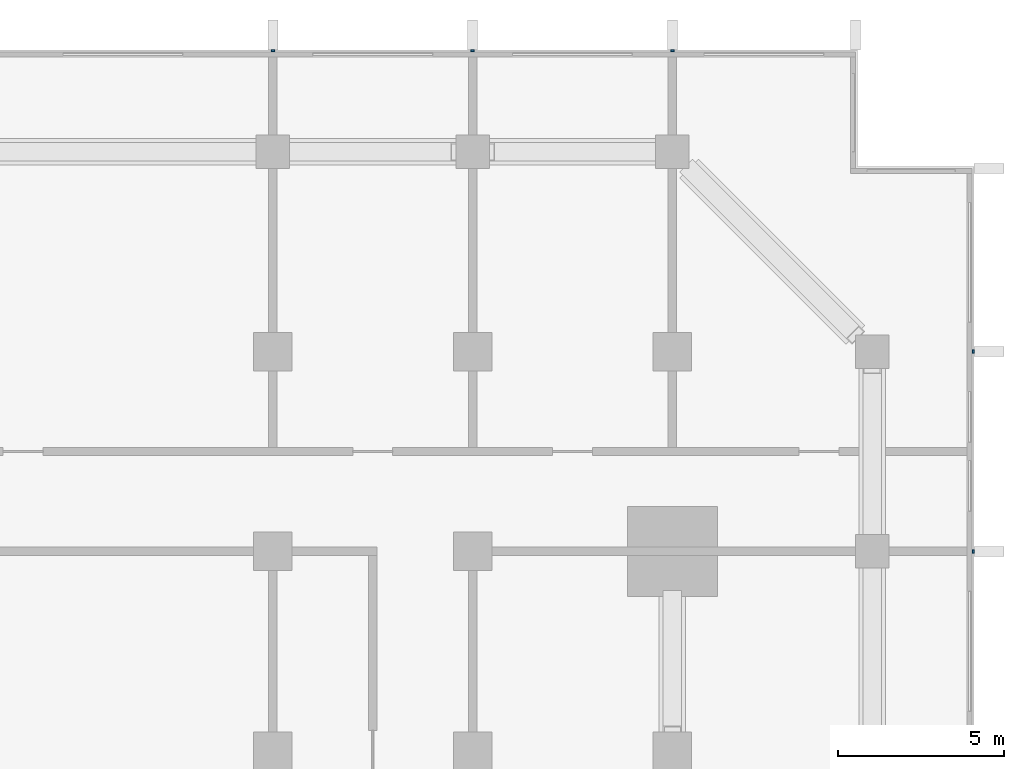
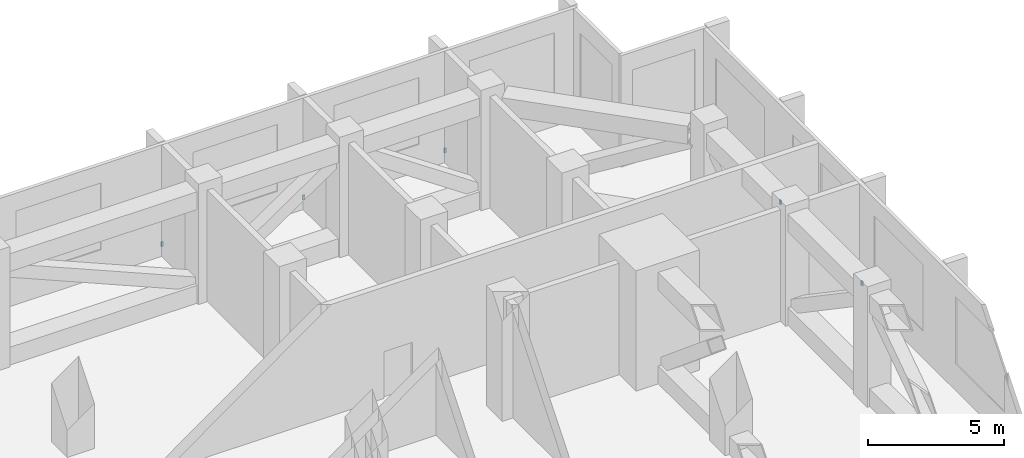
# One storey, part 11 of 12: 5 discrete accessories.
"""IFC4 building model written with IfcOpenShell, lengths in metres."""

from ifc_helpers import new_model, si_unit, direction, frame, origin, origin_2d, place, context, subcontext, project, spatial, rectangle, extrude, material, type_object, element, save


model = new_model("IFC4")

# Units and contexts
model_context = context("Model", 3, precision=1e-05, world=origin(), true_north=direction((0.0, 1.0)))
body_context = subcontext(model_context, "Body", "Model", "MODEL_VIEW")
ifc_project = project(units=[si_unit("LENGTHUNIT", "METRE"), si_unit("AREAUNIT", "SQUARE_METRE"), si_unit("VOLUMEUNIT", "CUBIC_METRE"), si_unit("PLANEANGLEUNIT", "RADIAN"), si_unit("MASSUNIT", "GRAM", prefix="KILO")], contexts=[model_context])

# Site, building, storey
site_placement = place(None, origin())
site = spatial("IfcSite", under=ifc_project, at=site_placement, CompositionType="ELEMENT")
building_placement = place(site_placement, origin())
building = spatial("IfcBuilding", under=site, at=building_placement, Name="Finial Court Residences", CompositionType="ELEMENT")
storey_placement = place(building_placement, frame((0.0, 0.0, 143.89990234375)))
storey = spatial("IfcBuildingStorey", under=building, at=storey_placement, Name="L35", CompositionType="ELEMENT", Elevation=143.89990234375)

# Discrete accessories
ifc_material = material(Name="Stainless steel 316", Category="steel")
discrete_accessory_type = type_object("IfcDiscreteAccessoryType", Name="Fin bracket, stainless steel 100 x 60 x 200", PredefinedType="BRACKET", material=ifc_material)
for number, where, z_axis, x_axis, name in (
    (1, (4.5, 22.530029296875, 0.30029296875), (0.0, 0.0, 1.0), (1.0, 0.0, 0.0), "E-L35-FIN-N5-BRK"),
    (2, (10.5, 22.530029296875, 0.30029296875), (0.0, 0.0, 1.0), (1.0, 0.0, 0.0), "E-L35-FIN-N6-BRK"),
    (3, (16.5, 22.530029296875, 0.30029296875), (0.0, 0.0, 1.0), (1.0, 0.0, 0.0), "E-L35-FIN-N7-BRK"),
):
    element("IfcDiscreteAccessory", number, at=place(storey_placement, frame(where, z_axis=z_axis, x_axis=x_axis)), inside=storey, type_object=discrete_accessory_type, Name=name, PredefinedType="BRACKET", context=body_context, shape_type="SweptSolid", body=[
        extrude(rectangle(XDim=0.10009765625, YDim=0.06005859375, at=origin_2d()), origin(), (0.0, 0.0, 1.0), 0.199951171875),
    ])
for number, where, z_axis, x_axis, name in (
    (4, (25.530029296875, 7.5, 0.30029296875), (0.0, 0.0, 1.0), (1.0, 0.0, 0.0), "E-L35-FIN-E13-BRK"),
    (5, (25.530029296875, 13.5, 0.30029296875), (0.0, 0.0, 1.0), (1.0, 0.0, 0.0), "E-L35-FIN-E14-BRK"),
):
    element("IfcDiscreteAccessory", number, at=place(storey_placement, frame(where, z_axis=z_axis, x_axis=x_axis)), inside=storey, type_object=discrete_accessory_type, Name=name, PredefinedType="BRACKET", context=body_context, shape_type="SweptSolid", body=[
        extrude(rectangle(XDim=0.06005859375, YDim=0.10009765625, at=origin_2d()), origin(), (0.0, 0.0, 1.0), 0.199951171875),
    ])

save(model, "model.ifc")
